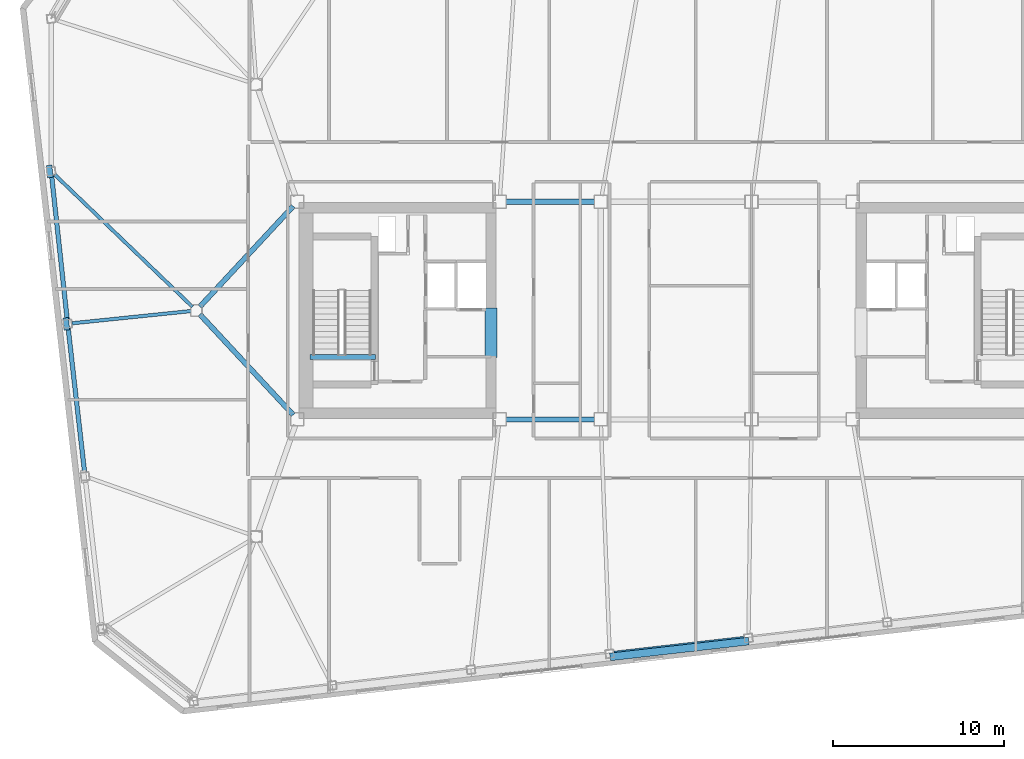
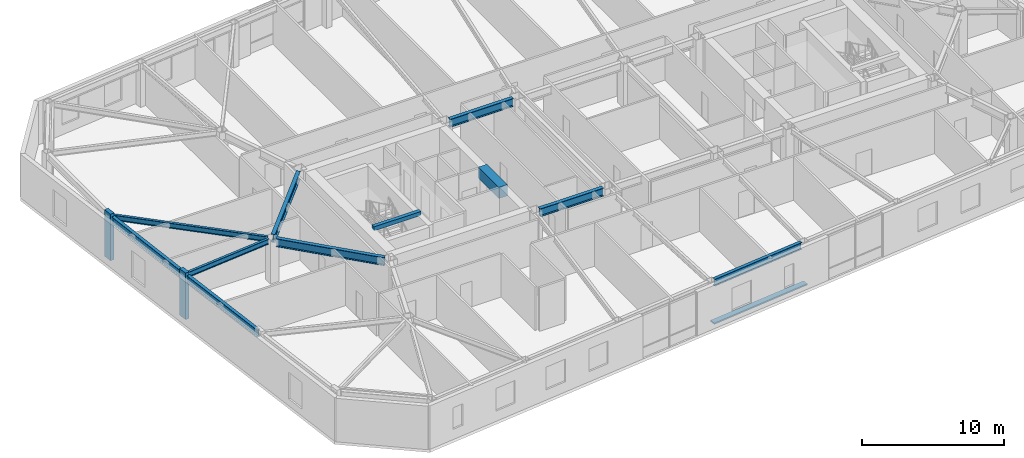
# One storey, part 5 of 19: 11 beams, 3 members.
"""IFC4 building model written with IfcOpenShell, lengths in metres."""

from ifc_helpers import new_model, si_unit, direction, frame, origin, origin_2d, place, context, subcontext, project, spatial, rectangle, i_section, extrude, material, material_profile, profile_set, type_object, element, save


model = new_model("IFC4")

# Units and contexts
model_context = context("Model", 3, precision=1e-05, world=origin(), true_north=direction((0.0, 1.0)))
body_context = subcontext(model_context, "Body", "Model", "MODEL_VIEW")
ifc_project = project(units=[si_unit("LENGTHUNIT", "METRE"), si_unit("AREAUNIT", "SQUARE_METRE"), si_unit("VOLUMEUNIT", "CUBIC_METRE"), si_unit("PLANEANGLEUNIT", "RADIAN"), si_unit("MASSUNIT", "GRAM", prefix="KILO")], contexts=[model_context])

# Site, building, storey
site_placement = place(None, origin())
site = spatial("IfcSite", under=ifc_project, at=site_placement, CompositionType="ELEMENT")
building_placement = place(site_placement, origin())
building = spatial("IfcBuilding", under=site, at=building_placement, Name="Tavrogorsk Clinical Tower", CompositionType="ELEMENT")
storey_placement = place(building_placement, frame((0.0, 0.0, 263.0)))
storey = spatial("IfcBuildingStorey", under=building, at=storey_placement, Name="L61", CompositionType="ELEMENT", Elevation=263.0)

# Member
ifc_material_1 = material(Name="Anodised aluminium alloy AW-6063", Category="aluminium")
ifc_material_profile_1 = material_profile(ifc_material_1, rectangle(XDim=0.449951171875, YDim=0.1201171875, at=origin_2d()), Name="ALU-SUNSHADE-450x120")
ifc_profile_set_1 = profile_set([ifc_material_profile_1], Name="Anodised aluminium alloy AW-6063")
member_type_1 = type_object("IfcMemberType", Name="ChicagoSunshade_450x120", PredefinedType="USERDEFINED", material=ifc_profile_set_1)
member_placement = place(storey_placement, frame((-3.855712890625, -20.214111328125, 0.179931640625), z_axis=(0.99356960656, 0.11322295227, 0.0), x_axis=(-0.11322295227, 0.99356960656, 0.0)))
element("IfcMember", 1, at=member_placement, inside=storey, type_object=member_type_1, Name="L61 South Aluminium Sunshade S4", ObjectType="SUNSHADE", PredefinedType="USERDEFINED", context=body_context, shape_type="SweptSolid", body=[
    extrude(rectangle(XDim=0.449951171875, YDim=0.1201171875, at=origin_2d()), origin(), (0.0, 0.0, 1.0), 8.148681640625),
])

# Beams
ifc_material_2 = material(Name="Concrete B80", Category="concrete")
ifc_material_profile_2 = material_profile(ifc_material_2, rectangle(XDim=0.699951171875, YDim=0.949951171875, at=origin_2d()), Name="RC-CB-700x950")
ifc_profile_set_2 = profile_set([ifc_material_profile_2], Name="Concrete B80")
beam_type_1 = type_object("IfcBeamType", Name="CouplingBeam_RC700x950", PredefinedType="LINTEL", material=ifc_profile_set_2)
beam_1_placement = place(storey_placement, frame((-10.800048828125, -2.75, 3.264892578125), z_axis=(0.0, 1.0, 0.0), x_axis=(-1.0, 0.0, 0.0)))
element("IfcBeam", 2, at=beam_1_placement, inside=storey, type_object=beam_type_1, Name="L61 Core West Coupling Beam", PredefinedType="LINTEL", context=body_context, shape_type="SweptSolid", body=[
    extrude(rectangle(XDim=0.699951171875, YDim=0.949951171875, at=origin_2d()), origin(), (0.0, 0.0, 1.0), 2.89990234375),
])
ifc_material_3 = material(Name="Structural steel S355", Category="steel")
ifc_material_profile_3 = material_profile(ifc_material_3, i_section(OverallWidth=0.199951171875, OverallDepth=0.449951171875, WebThickness=0.011474609375, FlangeThickness=0.01806640625, at=origin_2d()), Name="B-450x200x11.5x18")
ifc_profile_set_3 = profile_set([ifc_material_profile_3], Name="Structural steel S355")
beam_type_2 = type_object("IfcBeamType", Name="FloorBeam_B450", PredefinedType="BEAM", material=ifc_profile_set_3)
beam_2_placement = place(storey_placement, frame((-28.2236328125, 0.214599609375, 3.514892578125), z_axis=(-0.721413519982, 0.692504536582, 0.0), x_axis=(-0.692504536582, -0.721413519982, 0.0)))
element("IfcBeam", 3, at=beam_2_placement, inside=storey, type_object=beam_type_2, Name="L61 Radial Floor Beam W2", PredefinedType="BEAM", context=body_context, shape_type="SweptSolid", body=[
    extrude(i_section(OverallWidth=0.199951171875, OverallDepth=0.449951171875, WebThickness=0.011474609375, FlangeThickness=0.01806640625, at=origin_2d()), origin(), (0.0, 0.0, 1.0), 11.1728515625),
])
beam_3_placement = place(storey_placement, frame((-28.308349609375, -0.03173828125, 3.514892578125), z_axis=(-0.994752624307, -0.102309415177, 0.0), x_axis=(0.102309415177, -0.994752624307, 0.0)))
element("IfcBeam", 4, at=beam_3_placement, inside=storey, type_object=beam_type_2, Name="L61 Radial Floor Beam W3", PredefinedType="BEAM", context=body_context, shape_type="SweptSolid", body=[
    extrude(i_section(OverallWidth=0.199951171875, OverallDepth=0.449951171875, WebThickness=0.011474609375, FlangeThickness=0.01806640625, at=origin_2d()), origin(), (0.0, 0.0, 1.0), 6.9775390625),
])

# Members
ifc_material_4 = material(Name="Precast concrete B45 with limestone cladding", Category="masonry")
ifc_material_profile_4 = material_profile(ifc_material_4, rectangle(XDim=0.320068359375, YDim=0.719970703125, at=origin_2d()), Name="LIMESTONE-FIN-320x720")
ifc_profile_set_4 = profile_set([ifc_material_profile_4], Name="Precast concrete B45 with limestone cladding")
member_type_2 = type_object("IfcMemberType", Name="LimestonePleatFin_320x720", PredefinedType="USERDEFINED", material=ifc_profile_set_4)
for number, where, z_axis, x_axis, name in (
    (5, (-36.549560546875, 8.121337890625, 0.0), (0.0, 0.0, 1.0), (0.993571855677, 0.113203213768, 0.0), "L61 W Pleated Stone Fin 1"),
    (6, (-35.585205078125, -0.781005859375, 0.0), (0.0, 0.0, 1.0), (0.993571855677, 0.113203213768, 0.0), "L61 W Pleated Stone Fin 2"),
):
    element("IfcMember", number, at=place(storey_placement, frame(where, z_axis=z_axis, x_axis=x_axis)), inside=storey, type_object=member_type_2, Name=name, ObjectType="FIN", PredefinedType="USERDEFINED", context=body_context, shape_type="SweptSolid", body=[
        extrude(rectangle(XDim=0.320068359375, YDim=0.719970703125, at=origin_2d()), origin(), (0.0, 0.0, 1.0), 4.0),
    ])

# Beams
ifc_material_5 = material(Name="Structural steel S390", Category="steel")
ifc_material_profile_5 = material_profile(ifc_material_5, i_section(OverallWidth=0.300048828125, OverallDepth=0.699951171875, WebThickness=0.01708984375, FlangeThickness=0.028076171875, at=origin_2d()), Name="B-700x300x17x28")
ifc_profile_set_5 = profile_set([ifc_material_profile_5], Name="Structural steel S390")
beam_type_3 = type_object("IfcBeamType", Name="PrimaryGirder_B700", PredefinedType="USERDEFINED", material=ifc_profile_set_5)
for number, where, z_axis, x_axis, name in (
    (7, (-9.93994140625, -6.35009765625, 3.389892578125), (1.0, 0.0, 0.0), (0.0, 1.0, 0.0), "L61 Primary Spine Girder MG-01"),
    (8, (-9.93994140625, 6.35009765625, 3.389892578125), (1.0, 0.0, 0.0), (0.0, 1.0, 0.0), "L61 Primary Spine Girder MG-02"),
):
    element("IfcBeam", number, at=place(storey_placement, frame(where, z_axis=z_axis, x_axis=x_axis)), inside=storey, type_object=beam_type_3, Name=name, ObjectType="GIRDER", PredefinedType="USERDEFINED", context=body_context, shape_type="SweptSolid", body=[
        extrude(i_section(OverallWidth=0.300048828125, OverallDepth=0.699951171875, WebThickness=0.01708984375, FlangeThickness=0.028076171875, at=origin_2d()), origin(), (0.0, 0.0, 1.0), 5.179931640625),
    ])
for number, where, z_axis, x_axis, name in (
    (9, (-27.7890625, -0.22705078125, 3.389892578125), (0.680684060959, -0.732577101168, 0.0), (0.732577101168, 0.680684060959, 0.0), "L61 Spine Link Girder OPG-5"),
    (10, (-27.7890625, 0.22705078125, 3.389892578125), (0.680684060959, 0.732577101168, 0.0), (-0.732577101168, 0.680684060959, 0.0), "L61 Spine Link Girder OPG-6"),
):
    element("IfcBeam", number, at=place(storey_placement, frame(where, z_axis=z_axis, x_axis=x_axis)), inside=storey, type_object=beam_type_3, Name=name, ObjectType="GIRDER", PredefinedType="USERDEFINED", context=body_context, shape_type="SweptSolid", body=[
        extrude(i_section(OverallWidth=0.300048828125, OverallDepth=0.699951171875, WebThickness=0.01708984375, FlangeThickness=0.028076171875, at=origin_2d()), origin(), (0.0, 0.0, 1.0), 7.998046875),
    ])
ifc_material_6 = material(Name="Structural steel S390", Category="steel")
ifc_material_profile_6 = material_profile(ifc_material_6, i_section(OverallWidth=0.260009765625, OverallDepth=0.60009765625, WebThickness=0.014892578125, FlangeThickness=0.02392578125, at=origin_2d()), Name="B-600x260x15x24")
ifc_profile_set_6 = profile_set([ifc_material_profile_6], Name="Structural steel S390")
beam_type_4 = type_object("IfcBeamType", Name="SpandrelBeam_B600", PredefinedType="SPANDREL", material=ifc_profile_set_6)
beam_4_placement = place(storey_placement, frame((-3.619873046875, -20.006103515625, 3.43994140625), z_axis=(0.993568911788, 0.113229048956, 0.0), x_axis=(-0.113229048956, 0.993568911788, 0.0)))
element("IfcBeam", 11, at=beam_4_placement, inside=storey, type_object=beam_type_4, Name="L61 Perimeter Spandrel S4-S5", PredefinedType="SPANDREL", context=body_context, shape_type="SweptSolid", body=[
    extrude(i_section(OverallWidth=0.260009765625, OverallDepth=0.60009765625, WebThickness=0.014892578125, FlangeThickness=0.02392578125, at=origin_2d()), origin(), (0.0, 0.0, 1.0), 7.6328125),
])
beam_5_placement = place(storey_placement, frame((-36.442138671875, 7.8740234375, 3.43994140625), z_axis=(0.107655746314, -0.994188231818, 0.0), x_axis=(0.994188231818, 0.107655746314, 0.0)))
element("IfcBeam", 12, at=beam_5_placement, inside=storey, type_object=beam_type_4, Name="L61 Perimeter Spandrel W2-W3", PredefinedType="SPANDREL", context=body_context, shape_type="SweptSolid", body=[
    extrude(i_section(OverallWidth=0.260009765625, OverallDepth=0.60009765625, WebThickness=0.014892578125, FlangeThickness=0.02392578125, at=origin_2d()), origin(), (0.0, 0.0, 1.0), 8.4384765625),
])
beam_6_placement = place(storey_placement, frame((-35.4765625, -1.0283203125, 3.43994140625), z_axis=(0.113195129234, -0.99357277676, 0.0), x_axis=(0.99357277676, 0.113195129234, 0.0)))
element("IfcBeam", 13, at=beam_6_placement, inside=storey, type_object=beam_type_4, Name="L61 Perimeter Spandrel W3-W4", PredefinedType="SPANDREL", context=body_context, shape_type="SweptSolid", body=[
    extrude(i_section(OverallWidth=0.260009765625, OverallDepth=0.60009765625, WebThickness=0.014892578125, FlangeThickness=0.02392578125, at=origin_2d()), origin(), (0.0, 0.0, 1.0), 8.44384765625),
])
ifc_material_7 = material(Name="Concrete B60", Category="concrete")
ifc_material_profile_7 = material_profile(ifc_material_7, rectangle(XDim=0.300048828125, YDim=0.35009765625, at=origin_2d()), Name="RC-SHB-300x350")
ifc_profile_set_7 = profile_set([ifc_material_profile_7], Name="Concrete B60")
beam_type_5 = type_object("IfcBeamType", Name="StairHeaderBeam_RC300x350", PredefinedType="BEAM", material=ifc_profile_set_7)
beam_7_placement = place(storey_placement, frame((-21.35009765625, -2.719970703125, 3.824951171875), z_axis=(1.0, 0.0, 0.0), x_axis=(0.0, 1.0, 0.0)))
element("IfcBeam", 14, at=beam_7_placement, inside=storey, type_object=beam_type_5, Name="L62 ST-W Landing Header Beam", PredefinedType="BEAM", context=body_context, shape_type="SweptSolid", body=[
    extrude(rectangle(XDim=0.300048828125, YDim=0.35009765625, at=origin_2d()), origin(), (0.0, 0.0, 1.0), 3.800048828125),
])

save(model, "model.ifc")
